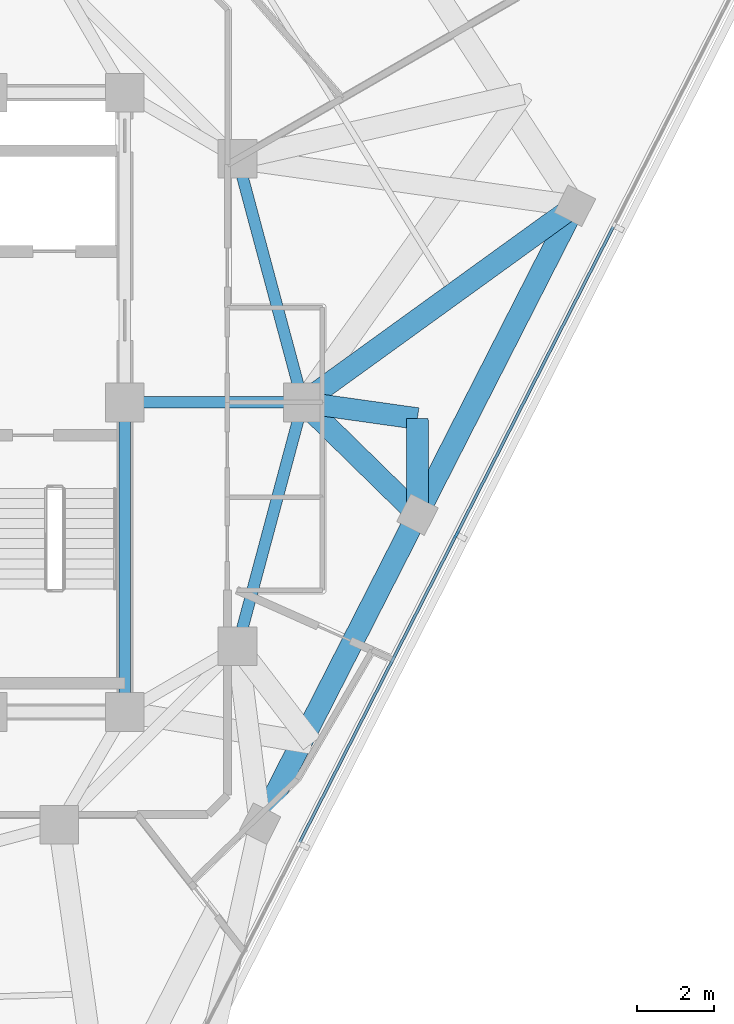
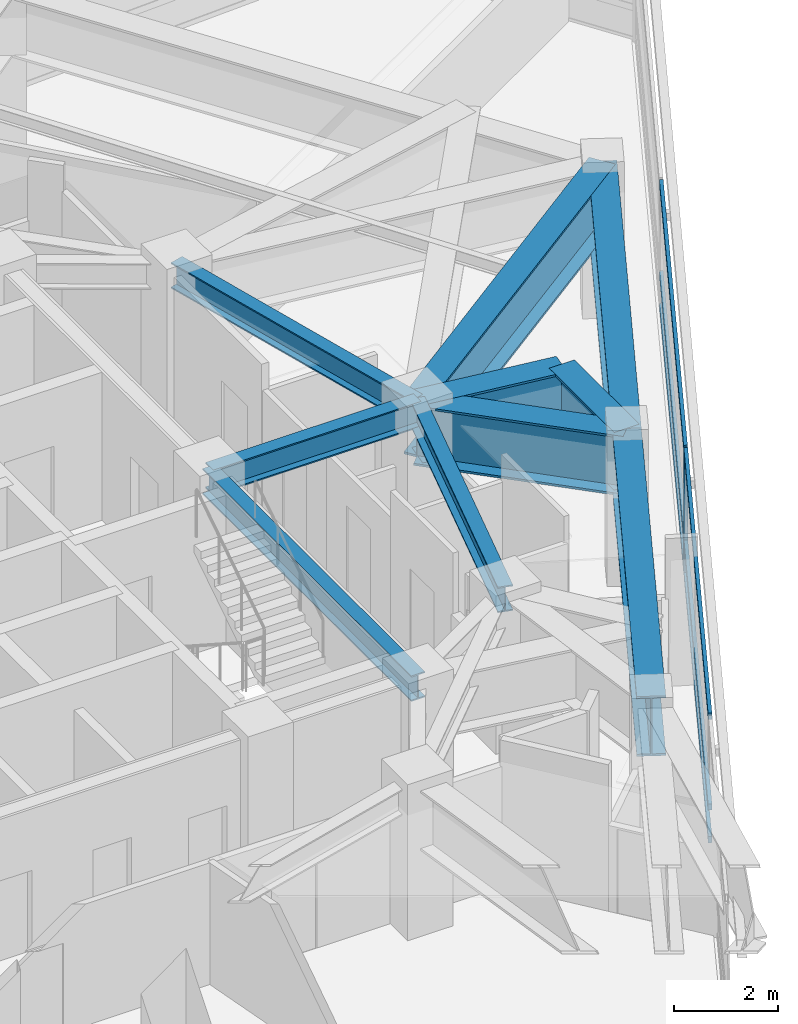
# One storey, part 4 of 15: 10 beams, 7 members, 1 element without a shape of its own.
"""IFC4 building model written with IfcOpenShell, lengths in metres."""

from ifc_helpers import new_model, si_unit, direction, frame, origin, origin_2d, place, context, subcontext, project, spatial, rectangle, i_section, extrude, material, layer, layer_set, material_profile, profile_set, type_object, element, aggregate, save


model = new_model("IFC4")

# Units and contexts
model_context = context("Model", 3, precision=1e-05, world=origin(), true_north=direction((0.0, 1.0)))
body_context = subcontext(model_context, "Body", "Model", "MODEL_VIEW")
ifc_project = project(units=[si_unit("LENGTHUNIT", "METRE"), si_unit("AREAUNIT", "SQUARE_METRE"), si_unit("VOLUMEUNIT", "CUBIC_METRE"), si_unit("PLANEANGLEUNIT", "RADIAN"), si_unit("MASSUNIT", "GRAM", prefix="KILO")], contexts=[model_context])

# Site, building, storey
site_placement = place(None, origin())
site = spatial("IfcSite", under=ifc_project, at=site_placement, CompositionType="ELEMENT")
building_placement = place(site_placement, origin())
building = spatial("IfcBuilding", under=site, at=building_placement, Name="Terralouvre Media Tower", CompositionType="ELEMENT")
storey_placement = place(building_placement, frame((0.0, 0.0, 274.39990234375)))
storey = spatial("IfcBuildingStorey", under=building, at=storey_placement, Name="L71", CompositionType="ELEMENT", Elevation=274.39990234375)

# Curtain wall, members
ifc_material_1 = material(Name="Low-iron laminated double glazing with solar-control coating", Category="glass")
ifc_layer = layer(ifc_material_1, 0.1650390625, Name="Upper Executive Tower Curtain Wall CW-05")
ifc_layer_set = layer_set([ifc_layer], Name="Low-iron laminated double glazing with solar-control coating")
curtain_wall_type = type_object("IfcCurtainWallType", Name="Upper Executive Tower Curtain Wall CW-05", PredefinedType="NOTDEFINED", material=ifc_layer_set)
curtain_wall_placement = place(storey_placement, origin())
curtain_wall = element("IfcCurtainWall", 1, at=curtain_wall_placement, inside=storey, type_object=curtain_wall_type, Name="L71 Facade Curtain Wall F0", PredefinedType="NOTDEFINED")
ifc_material_2 = material(Name="Anodised extruded aluminium 6063-T6", Category="aluminium")
ifc_material_profile_1 = material_profile(ifc_material_2, rectangle(XDim=0.074951171875, YDim=0.14990234375, at=origin_2d()), Name="ALU 75x150")
ifc_profile_set_1 = profile_set([ifc_material_profile_1], Name="Anodised extruded aluminium 6063-T6")
member_type_1 = type_object("IfcMemberType", Name="Curtain-Wall Horizontal Transom TR-150", PredefinedType="USERDEFINED", material=ifc_profile_set_1)
member_1_placement = place(storey_placement, frame((12.517822265625, -11.364013671875, 0.03759765625), z_axis=(0.4539932871, 0.891005103952, 0.0), x_axis=(-0.891005103952, 0.4539932871, 0.0)))
member_1 = element("IfcMember", 2, at=member_1_placement, type_object=member_type_1, Name="CW-05 transom 3.1", ObjectType="TRANSOM", PredefinedType="USERDEFINED", context=body_context, shape_type="SweptSolid", body=[
    extrude(rectangle(XDim=0.074951171875, YDim=0.14990234375, at=origin_2d()), origin(), (0.0, 0.0, 1.0), 8.885009765625),
])
member_2_placement = place(storey_placement, frame((12.517822265625, -11.364013671875, 0.800048828125), z_axis=(0.4539932871, 0.891005103952, 0.0), x_axis=(-0.891005103952, 0.4539932871, 0.0)))
member_2 = element("IfcMember", 3, at=member_2_placement, type_object=member_type_1, Name="CW-05 transom 3.2", ObjectType="TRANSOM", PredefinedType="USERDEFINED", context=body_context, shape_type="SweptSolid", body=[
    extrude(rectangle(XDim=0.074951171875, YDim=0.14990234375, at=origin_2d()), origin(), (0.0, 0.0, 1.0), 8.885009765625),
])
member_3_placement = place(storey_placement, frame((12.517822265625, -11.364013671875, 2.922607421875), z_axis=(0.4539932871, 0.891005103952, 0.0), x_axis=(-0.891005103952, 0.4539932871, 0.0)))
member_3 = element("IfcMember", 4, at=member_3_placement, type_object=member_type_1, Name="CW-05 transom 3.3", ObjectType="TRANSOM", PredefinedType="USERDEFINED", context=body_context, shape_type="SweptSolid", body=[
    extrude(rectangle(XDim=0.074951171875, YDim=0.14990234375, at=origin_2d()), origin(), (0.0, 0.0, 1.0), 8.885009765625),
])
member_4_placement = place(storey_placement, frame((16.585693359375, -3.380615234375, 0.03759765625), z_axis=(0.4539932871, 0.891005103952, 0.0), x_axis=(-0.891005103952, 0.4539932871, 0.0)))
member_4 = element("IfcMember", 5, at=member_4_placement, type_object=member_type_1, Name="CW-05 transom 4.1", ObjectType="TRANSOM", PredefinedType="USERDEFINED", context=body_context, shape_type="SweptSolid", body=[
    extrude(rectangle(XDim=0.074951171875, YDim=0.14990234375, at=origin_2d()), origin(), (0.0, 0.0, 1.0), 8.885009765625),
])
member_5_placement = place(storey_placement, frame((16.585693359375, -3.380615234375, 0.800048828125), z_axis=(0.4539932871, 0.891005103952, 0.0), x_axis=(-0.891005103952, 0.4539932871, 0.0)))
member_5 = element("IfcMember", 6, at=member_5_placement, type_object=member_type_1, Name="CW-05 transom 4.2", ObjectType="TRANSOM", PredefinedType="USERDEFINED", context=body_context, shape_type="SweptSolid", body=[
    extrude(rectangle(XDim=0.074951171875, YDim=0.14990234375, at=origin_2d()), origin(), (0.0, 0.0, 1.0), 8.885009765625),
])
member_6_placement = place(storey_placement, frame((16.585693359375, -3.380615234375, 2.922607421875), z_axis=(0.4539932871, 0.891005103952, 0.0), x_axis=(-0.891005103952, 0.4539932871, 0.0)))
member_6 = element("IfcMember", 7, at=member_6_placement, type_object=member_type_1, Name="CW-05 transom 4.3", ObjectType="TRANSOM", PredefinedType="USERDEFINED", context=body_context, shape_type="SweptSolid", body=[
    extrude(rectangle(XDim=0.074951171875, YDim=0.14990234375, at=origin_2d()), origin(), (0.0, 0.0, 1.0), 8.885009765625),
])
ifc_material_3 = material(Name="Anodised extruded aluminium 6063-T6", Category="aluminium")
ifc_material_profile_2 = material_profile(ifc_material_3, rectangle(XDim=0.074951171875, YDim=0.179931640625, at=origin_2d()), Name="ALU 75x180")
ifc_profile_set_2 = profile_set([ifc_material_profile_2], Name="Anodised extruded aluminium 6063-T6")
member_type_2 = type_object("IfcMemberType", Name="Curtain-Wall Vertical Mullion ML-180", PredefinedType="MULLION", material=ifc_profile_set_2)
member_7_placement = place(storey_placement, frame((16.568603515625, -3.4140625, 0.0), z_axis=(0.0, 0.0, 1.0), x_axis=(-0.891006553308, 0.45399044259, 0.0)))
member_7 = element("IfcMember", 8, at=member_7_placement, type_object=member_type_2, Name="CW-05 mullion 4", PredefinedType="MULLION", context=body_context, shape_type="SweptSolid", body=[
    extrude(rectangle(XDim=0.074951171875, YDim=0.179931640625, at=origin_2d()), origin(), (0.0, 0.0, 1.0), 2.960205078125),
])
aggregate(curtain_wall, [member_7, member_1, member_2, member_3, member_4, member_5, member_6])

# Beams
ifc_material_4 = material(Name="Structural steel S460M", Category="steel")
ifc_material_profile_3 = material_profile(ifc_material_4, i_section(OverallWidth=0.300048828125, OverallDepth=0.60009765625, WebThickness=0.015380859375, FlangeThickness=0.030029296875, at=origin_2d()), Name="HEB 600")
ifc_profile_set_3 = profile_set([ifc_material_profile_3], Name="Structural steel S460M")
beam_type_1 = type_object("IfcBeamType", Name="Primary Floor Girder B-HEB600 (HEB 600)", PredefinedType="BEAM", material=ifc_profile_set_3)
beam_1_placement = place(storey_placement, frame((8.0, -8.0, 3.16015625), z_axis=(0.0, 1.0, 0.0), x_axis=(-1.0, 0.0, 0.0)))
element("IfcBeam", 9, at=beam_1_placement, inside=storey, type_object=beam_type_1, Name="L71 Framing Beam BM-L71-CPR04", PredefinedType="BEAM", context=body_context, shape_type="SweptSolid", body=[
    extrude(i_section(OverallWidth=0.300048828125, OverallDepth=0.60009765625, WebThickness=0.015380859375, FlangeThickness=0.030029296875, at=origin_2d()), origin(), (0.0, 0.0, 1.0), 8.0),
])
for number, where, z_axis, x_axis, name in (
    (10, (10.911865234375, -6.300048828125, 3.16015625), (0.258838989821, 0.965920481897, 0.0), (-0.965920481897, 0.258838989821, 0.0), "L71 Framing Beam BM-L71-MR05"),
    (11, (12.60009765625, 0.0, 3.16015625), (-0.258838989821, 0.965920481897, 0.0), (-0.965920481897, -0.258838989821, 0.0), "L71 Framing Beam BM-L71-MR06"),
):
    element("IfcBeam", number, at=place(storey_placement, frame(where, z_axis=z_axis, x_axis=x_axis)), inside=storey, type_object=beam_type_1, Name=name, PredefinedType="BEAM", context=body_context, shape_type="SweptSolid", body=[
        extrude(i_section(OverallWidth=0.300048828125, OverallDepth=0.60009765625, WebThickness=0.015380859375, FlangeThickness=0.030029296875, at=origin_2d()), origin(), (0.0, 0.0, 1.0), 6.522216796875),
    ])
beam_2_placement = place(storey_placement, frame((8.0, 0.0, 3.16015625), z_axis=(1.0, 0.0, 0.0), x_axis=(0.0, 1.0, 0.0)))
element("IfcBeam", 12, at=beam_2_placement, inside=storey, type_object=beam_type_1, Name="L71 Framing Beam BM-L71-CM06", PredefinedType="BEAM", context=body_context, shape_type="SweptSolid", body=[
    extrude(i_section(OverallWidth=0.300048828125, OverallDepth=0.60009765625, WebThickness=0.015380859375, FlangeThickness=0.030029296875, at=origin_2d()), origin(), (0.0, 0.0, 1.0), 4.60009765625),
])
ifc_material_5 = material(Name="Structural steel S460M", Category="steel")
ifc_material_profile_4 = material_profile(ifc_material_5, i_section(OverallWidth=0.56005859375, OverallDepth=1.39990234375, WebThickness=0.031982421875, FlangeThickness=0.050048828125, at=origin_2d()), Name="TG 1400x560")
ifc_profile_set_4 = profile_set([ifc_material_profile_4], Name="Structural steel S460M")
beam_type_2 = type_object("IfcBeamType", Name="Welded Transfer Girder TG-1400 (TG 1400x560)", PredefinedType="USERDEFINED", material=ifc_profile_set_4)
for number, where, z_axis, x_axis, name in (
    (13, (11.493896484375, -10.884521484375, 2.760009765625), (0.454001700669, 0.891000816941, 0.0), (-0.891000816941, 0.454001700669, 0.0), "L71 Framing Beam BM-L71-PR05"),
    (14, (15.561767578125, -2.901123046875, 2.760009765625), (0.453980068772, 0.891011838955, 0.0), (-0.891011838955, 0.453980068772, 0.0), "L71 Framing Beam BM-L71-PR06"),
):
    element("IfcBeam", number, at=place(storey_placement, frame(where, z_axis=z_axis, x_axis=x_axis)), inside=storey, type_object=beam_type_2, Name=name, ObjectType="TRANSFER GIRDER", PredefinedType="USERDEFINED", context=body_context, shape_type="SweptSolid", body=[
        extrude(i_section(OverallWidth=0.56005859375, OverallDepth=1.39990234375, WebThickness=0.031982421875, FlangeThickness=0.050048828125, at=origin_2d()), origin(), (0.0, 0.0, 1.0), 8.9599609375),
    ])
beam_3_placement = place(storey_placement, frame((12.60009765625, 0.0, 2.760009765625), z_axis=(0.71437119745, -0.699766955675, 0.0), x_axis=(0.699766955675, 0.71437119745, 0.0)))
element("IfcBeam", 15, at=beam_3_placement, inside=storey, type_object=beam_type_2, Name="L71 Framing Beam BM-L71-RD06", ObjectType="TRANSFER GIRDER", PredefinedType="USERDEFINED", context=body_context, shape_type="SweptSolid", body=[
    extrude(i_section(OverallWidth=0.56005859375, OverallDepth=1.39990234375, WebThickness=0.031982421875, FlangeThickness=0.050048828125, at=origin_2d()), origin(), (0.0, 0.0, 1.0), 4.145751953125),
])
beam_4_placement = place(storey_placement, frame((12.60009765625, 0.0, 2.760009765625), z_axis=(0.810374824206, 0.585911805901, 0.0), x_axis=(-0.585911805901, 0.810374824206, 0.0)))
element("IfcBeam", 16, at=beam_4_placement, inside=storey, type_object=beam_type_2, Name="L71 Framing Beam BM-L71-RD07", ObjectType="TRANSFER GIRDER", PredefinedType="USERDEFINED", context=body_context, shape_type="SweptSolid", body=[
    extrude(i_section(OverallWidth=0.56005859375, OverallDepth=1.39990234375, WebThickness=0.031982421875, FlangeThickness=0.050048828125, at=origin_2d()), origin(), (0.0, 0.0, 1.0), 8.674072265625),
])
beam_5_placement = place(storey_placement, frame((15.55908203125, -0.41650390625, 2.760009765625), z_axis=(0.001080867994, -0.999999415862, 0.0), x_axis=(0.999999415862, 0.001080867994, 0.0)))
element("IfcBeam", 17, at=beam_5_placement, inside=storey, type_object=beam_type_2, Name="L71 Framing Beam BM-L71-TR03S1", ObjectType="TRANSFER GIRDER", PredefinedType="USERDEFINED", context=body_context, shape_type="SweptSolid", body=[
    extrude(i_section(OverallWidth=0.56005859375, OverallDepth=1.39990234375, WebThickness=0.031982421875, FlangeThickness=0.050048828125, at=origin_2d()), origin(), (0.0, 0.0, 1.0), 2.484619140625),
])
beam_6_placement = place(storey_placement, frame((15.55908203125, -0.41650390625, 2.760009765625), z_axis=(-0.990238261961, 0.139385022682, 0.0), x_axis=(-0.139385022682, -0.990238261961, 0.0)))
element("IfcBeam", 18, at=beam_6_placement, inside=storey, type_object=beam_type_2, Name="L71 Framing Beam BM-L71-TR03S2", ObjectType="TRANSFER GIRDER", PredefinedType="USERDEFINED", context=body_context, shape_type="SweptSolid", body=[
    extrude(i_section(OverallWidth=0.56005859375, OverallDepth=1.39990234375, WebThickness=0.031982421875, FlangeThickness=0.050048828125, at=origin_2d()), origin(), (0.0, 0.0, 1.0), 2.988037109375),
])

save(model, "model.ifc")
